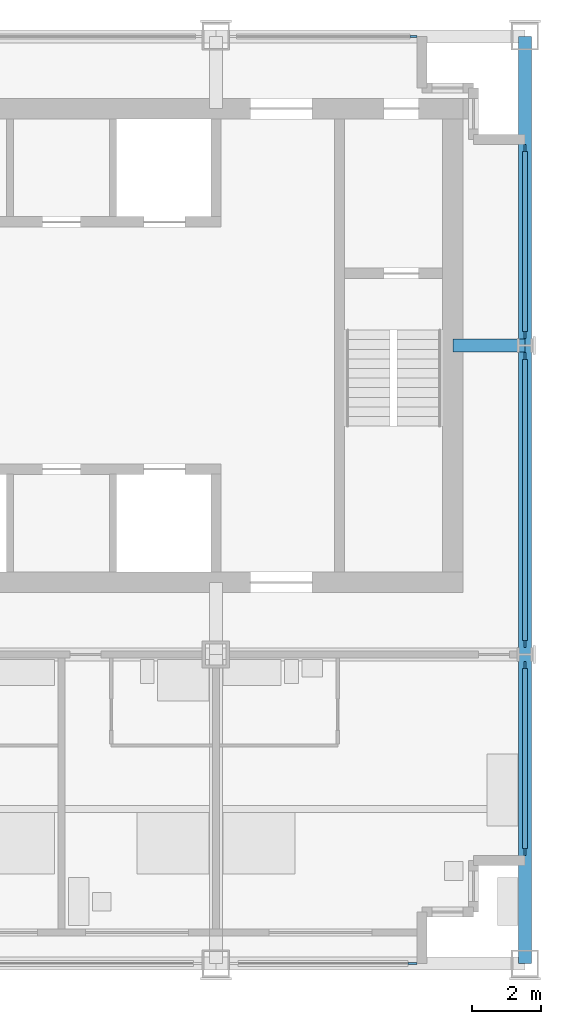
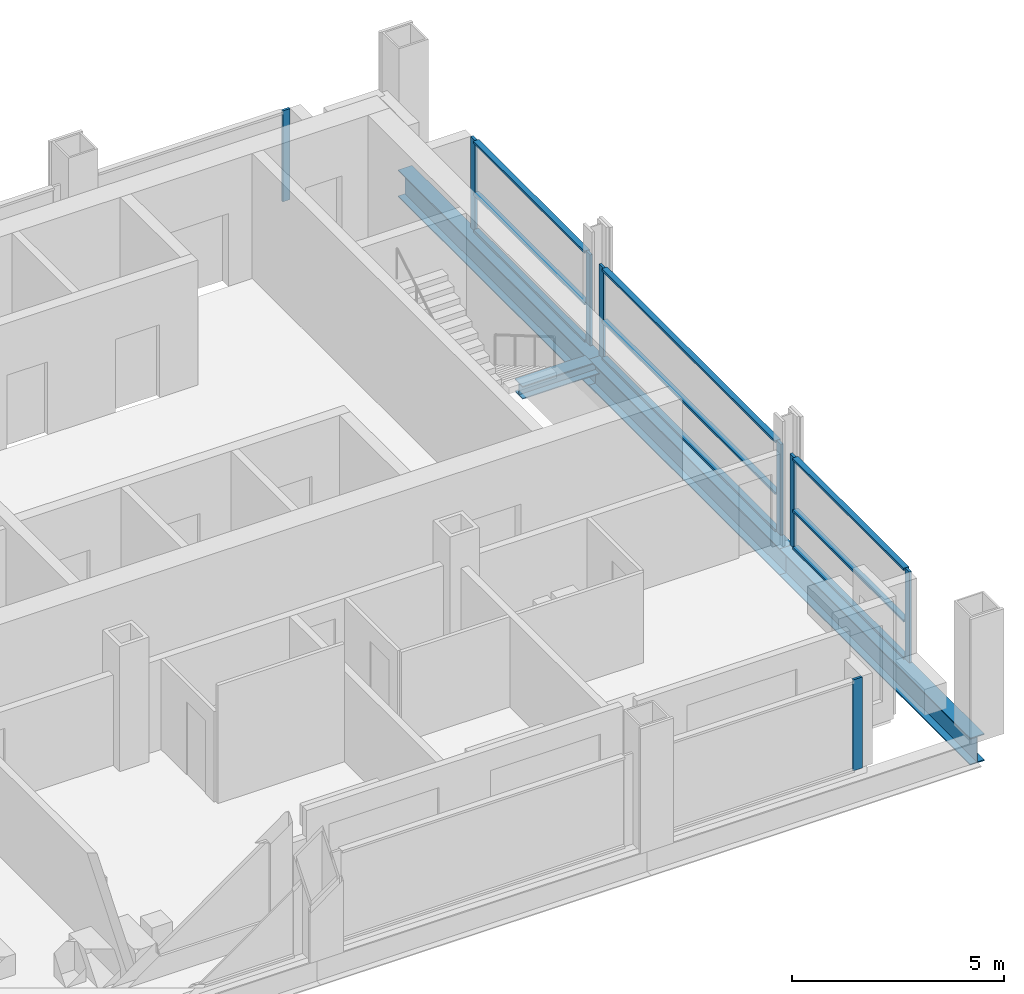
# One storey, part 4 of 12: 18 members, 3 beams, 5 elements without a shape of their own.
"""IFC4 building model written with IfcOpenShell, lengths in metres."""

from ifc_helpers import new_model, si_unit, direction, frame, origin, origin_2d, place, context, subcontext, project, spatial, rectangle, i_section, extrude, material, material_profile, profile_set, type_object, element, aggregate, save


model = new_model("IFC4")

# Units and contexts
model_context = context("Model", 3, precision=1e-05, world=origin(), true_north=direction((0.0, 1.0)))
body_context = subcontext(model_context, "Body", "Model", "MODEL_VIEW")
ifc_project = project(units=[si_unit("LENGTHUNIT", "METRE"), si_unit("AREAUNIT", "SQUARE_METRE"), si_unit("VOLUMEUNIT", "CUBIC_METRE"), si_unit("PLANEANGLEUNIT", "RADIAN"), si_unit("MASSUNIT", "GRAM", prefix="KILO")], contexts=[model_context])

# Site, building, storey
site_placement = place(None, origin())
site = spatial("IfcSite", under=ifc_project, at=site_placement, CompositionType="ELEMENT")
building_placement = place(site_placement, origin())
building = spatial("IfcBuilding", under=site, at=building_placement, Name="Loomwork Tower", CompositionType="ELEMENT")
storey_placement = place(building_placement, frame((0.0, 0.0, 230.199951171875)))
storey = spatial("IfcBuildingStorey", under=building, at=storey_placement, Name="L63", CompositionType="ELEMENT", Elevation=230.199951171875)

# Member
ifc_material_1 = material(Name="Steel ASTM A992", Category="steel")
ifc_material_profile_1 = material_profile(ifc_material_1, i_section(OverallWidth=0.373291015625, OverallDepth=0.373291015625, WebThickness=0.016357421875, FlangeThickness=0.026123046875, at=origin_2d()), Name="W14x132")
ifc_profile_set_1 = profile_set([ifc_material_profile_1], Name="Steel ASTM A992")
member_type_1 = type_object("IfcMemberType", Name="CORE LINK STRUT W14x132", PredefinedType="STRUT", material=ifc_profile_set_1)
member_1_placement = place(storey_placement, frame((36.0, 18.0, -0.38671875), z_axis=(-1.0, 0.0, 0.0), x_axis=(0.0, -1.0, 0.0)))
element("IfcMember", 1, at=member_1_placement, inside=storey, type_object=member_type_1, Name="Core link strut F/6-33.900,18.000 L63", PredefinedType="STRUT", context=body_context, shape_type="SweptSolid", body=[
    extrude(i_section(OverallWidth=0.373291015625, OverallDepth=0.373291015625, WebThickness=0.016357421875, FlangeThickness=0.026123046875, at=origin_2d()), origin(), (0.0, 0.0, 1.0), 2.10009765625),
])

# Curtain wall, member
ifc_material_2 = material(Name="Aluminium curtain wall frame", Category="aluminium")
curtain_wall_type_1 = type_object("IfcCurtainWallType", Name="Outer skin glazing suites", PredefinedType="NOTDEFINED", material=ifc_material_2)
curtain_wall_1_placement = place(storey_placement, origin())
curtain_wall_1 = element("IfcCurtainWall", 2, at=curtain_wall_1_placement, inside=storey, type_object=curtain_wall_type_1, Name="Outer skin glazing suites cw/S-27", PredefinedType="NOTDEFINED")
ifc_material_3 = material(Name="Aluminium curtain wall frame", Category="aluminium")
ifc_material_profile_2 = material_profile(ifc_material_3, rectangle(XDim=0.06494140625, YDim=0.25, at=origin_2d()), Name="AL 65x250")
ifc_profile_set_2 = profile_set([ifc_material_profile_2], Name="Aluminium curtain wall frame")
member_type_2 = type_object("IfcMemberType", Name="Outer skin glazing suites mullion", PredefinedType="MULLION", material=ifc_profile_set_2)
member_2_placement = place(storey_placement, frame((32.72509765625, 0.0, 0.0), z_axis=(0.0, 0.0, 1.0), x_axis=(0.0, 1.0, 0.0)))
member_2 = element("IfcMember", 3, at=member_2_placement, type_object=member_type_2, Name="CW2 mullion 2", PredefinedType="MULLION", context=body_context, shape_type="SweptSolid", body=[
    extrude(rectangle(XDim=0.06494140625, YDim=0.25, at=origin_2d()), origin(), (0.0, 0.0, 1.0), 2.620361328125),
])
aggregate(curtain_wall_1, [member_2])

# Beams
ifc_material_4 = material(Name="Steel ASTM A992", Category="steel")
ifc_material_profile_3 = material_profile(ifc_material_4, i_section(OverallWidth=0.381103515625, OverallDepth=0.77978515625, WebThickness=0.01806640625, FlangeThickness=0.0302734375, at=origin_2d()), Name="W30x191")
ifc_profile_set_3 = profile_set([ifc_material_profile_3], Name="Steel ASTM A992")
beam_type = type_object("IfcBeamType", Name="SPANDREL GIRDER W30x191", PredefinedType="SPANDREL", material=ifc_profile_set_3)
for number, where, z_axis, x_axis, name in (
    (4, (36.0, 0.0, -0.58984375), (0.0, 1.0, 0.0), (-1.0, 0.0, 0.0), "Spandrel Girder D/6-E/6 L63"),
    (5, (36.0, 9.0, -0.58984375), (0.0, 1.0, 0.0), (-1.0, 0.0, 0.0), "Spandrel Girder E/6-F/6 L63"),
    (6, (36.0, 18.0, -0.58984375), (0.0, 1.0, 0.0), (-1.0, 0.0, 0.0), "Spandrel Girder F/6-G/6 L63"),
):
    element("IfcBeam", number, at=place(storey_placement, frame(where, z_axis=z_axis, x_axis=x_axis)), inside=storey, type_object=beam_type, Name=name, PredefinedType="SPANDREL", context=body_context, shape_type="SweptSolid", body=[
        extrude(i_section(OverallWidth=0.381103515625, OverallDepth=0.77978515625, WebThickness=0.01806640625, FlangeThickness=0.0302734375, at=origin_2d()), origin(), (0.0, 0.0, 1.0), 9.0),
    ])

# Curtain wall, member
ifc_material_5 = material(Name="Aluminium curtain wall frame", Category="aluminium")
curtain_wall_type_2 = type_object("IfcCurtainWallType", Name="Single skin glazing corridor", PredefinedType="NOTDEFINED", material=ifc_material_5)
curtain_wall_2_placement = place(storey_placement, origin())
curtain_wall_2 = element("IfcCurtainWall", 7, at=curtain_wall_2_placement, inside=storey, type_object=curtain_wall_type_2, Name="Single skin glazing corridor cw/N-27", PredefinedType="NOTDEFINED")
ifc_material_6 = material(Name="Aluminium curtain wall frame", Category="aluminium")
ifc_material_profile_4 = material_profile(ifc_material_6, rectangle(XDim=0.06494140625, YDim=0.199951171875, at=origin_2d()), Name="AL 65x200")
ifc_profile_set_4 = profile_set([ifc_material_profile_4], Name="Aluminium curtain wall frame")
member_type_3 = type_object("IfcMemberType", Name="Single skin glazing corridor mullion", PredefinedType="MULLION", material=ifc_profile_set_4)
member_3_placement = place(storey_placement, frame((32.75, 27.0, 0.0), z_axis=(0.0, 0.0, 1.0), x_axis=(0.0, -1.0, 0.0)))
member_3 = element("IfcMember", 8, at=member_3_placement, type_object=member_type_3, Name="CW3 mullion 1", PredefinedType="MULLION", context=body_context, shape_type="SweptSolid", body=[
    extrude(rectangle(XDim=0.06494140625, YDim=0.199951171875, at=origin_2d()), origin(), (0.0, 0.0, 1.0), 2.620361328125),
])
aggregate(curtain_wall_2, [member_3])

# Curtain wall, members
curtain_wall_3_placement = place(storey_placement, origin())
curtain_wall_3 = element("IfcCurtainWall", 9, at=curtain_wall_3_placement, inside=storey, type_object=curtain_wall_type_2, Name="Single skin glazing corridor cw/E-0", PredefinedType="NOTDEFINED")
member_4_placement = place(storey_placement, frame((36.0, 3.25, 0.0), z_axis=(0.0, 0.0, 1.0), x_axis=(-1.0, 0.0, 0.0)))
member_4 = element("IfcMember", 10, at=member_4_placement, type_object=member_type_3, Name="CW3 mullion 1", PredefinedType="MULLION", context=body_context, shape_type="SweptSolid", body=[
    extrude(rectangle(XDim=0.06494140625, YDim=0.199951171875, at=origin_2d()), origin(), (0.0, 0.0, 1.0), 2.620361328125),
])
member_5_placement = place(storey_placement, frame((36.0, 8.689208984375, 0.0), z_axis=(0.0, 0.0, 1.0), x_axis=(-1.0, 0.0, 0.0)))
member_5 = element("IfcMember", 11, at=member_5_placement, type_object=member_type_3, Name="CW3 mullion 2", PredefinedType="MULLION", context=body_context, shape_type="SweptSolid", body=[
    extrude(rectangle(XDim=0.06494140625, YDim=0.199951171875, at=origin_2d()), origin(), (0.0, 0.0, 1.0), 2.620361328125),
])

curtain_wall_4_placement = place(storey_placement, origin())
curtain_wall_4 = element("IfcCurtainWall", 12, at=curtain_wall_4_placement, inside=storey, type_object=curtain_wall_type_2, Name="Single skin glazing corridor cw/E-9", PredefinedType="NOTDEFINED")
member_6_placement = place(storey_placement, frame((36.0, 9.310791015625, 0.0), z_axis=(0.0, 0.0, 1.0), x_axis=(-1.0, 0.0, 0.0)))
member_6 = element("IfcMember", 13, at=member_6_placement, type_object=member_type_3, Name="CW3 mullion 1", PredefinedType="MULLION", context=body_context, shape_type="SweptSolid", body=[
    extrude(rectangle(XDim=0.06494140625, YDim=0.199951171875, at=origin_2d()), origin(), (0.0, 0.0, 1.0), 2.620361328125),
])
member_7_placement = place(storey_placement, frame((36.0, 17.689208984375, 0.0), z_axis=(0.0, 0.0, 1.0), x_axis=(-1.0, 0.0, 0.0)))
member_7 = element("IfcMember", 14, at=member_7_placement, type_object=member_type_3, Name="CW3 mullion 2", PredefinedType="MULLION", context=body_context, shape_type="SweptSolid", body=[
    extrude(rectangle(XDim=0.06494140625, YDim=0.199951171875, at=origin_2d()), origin(), (0.0, 0.0, 1.0), 2.620361328125),
])

curtain_wall_5_placement = place(storey_placement, origin())
curtain_wall_5 = element("IfcCurtainWall", 15, at=curtain_wall_5_placement, inside=storey, type_object=curtain_wall_type_2, Name="Single skin glazing corridor cw/E-18", PredefinedType="NOTDEFINED")
member_8_placement = place(storey_placement, frame((36.0, 18.310791015625, 0.0), z_axis=(0.0, 0.0, 1.0), x_axis=(-1.0, 0.0, 0.0)))
member_8 = element("IfcMember", 16, at=member_8_placement, type_object=member_type_3, Name="CW3 mullion 1", PredefinedType="MULLION", context=body_context, shape_type="SweptSolid", body=[
    extrude(rectangle(XDim=0.06494140625, YDim=0.199951171875, at=origin_2d()), origin(), (0.0, 0.0, 1.0), 2.620361328125),
])
member_9_placement = place(storey_placement, frame((36.0, 23.75, 0.0), z_axis=(0.0, 0.0, 1.0), x_axis=(-1.0, 0.0, 0.0)))
member_9 = element("IfcMember", 17, at=member_9_placement, type_object=member_type_3, Name="CW3 mullion 2", PredefinedType="MULLION", context=body_context, shape_type="SweptSolid", body=[
    extrude(rectangle(XDim=0.06494140625, YDim=0.199951171875, at=origin_2d()), origin(), (0.0, 0.0, 1.0), 2.620361328125),
])

# Member
ifc_material_7 = material(Name="Aluminium curtain wall frame", Category="aluminium")
ifc_material_profile_5 = material_profile(ifc_material_7, rectangle(XDim=0.14990234375, YDim=0.06494140625, at=origin_2d()), Name="AL 65x150")
ifc_profile_set_5 = profile_set([ifc_material_profile_5], Name="Aluminium curtain wall frame")
member_type_4 = type_object("IfcMemberType", Name="Single skin glazing corridor transom", PredefinedType="USERDEFINED", material=ifc_profile_set_5)
member_10_placement = place(storey_placement, frame((36.0, 3.35009765625, 0.032470703125), z_axis=(0.0, 1.0, 0.0), x_axis=(-1.0, 0.0, 0.0)))
member_10 = element("IfcMember", 18, at=member_10_placement, type_object=member_type_4, Name="CW3 transom 1.1", ObjectType="TRANSOM", PredefinedType="USERDEFINED", context=body_context, shape_type="SweptSolid", body=[
    extrude(rectangle(XDim=0.14990234375, YDim=0.06494140625, at=origin_2d()), origin(), (0.0, 0.0, 1.0), 5.239013671875),
])

member_11_placement = place(storey_placement, frame((36.0, 3.35009765625, 1.10009765625), z_axis=(0.0, 1.0, 0.0), x_axis=(-1.0, 0.0, 0.0)))
member_11 = element("IfcMember", 19, at=member_11_placement, type_object=member_type_4, Name="CW3 transom 1.2", ObjectType="TRANSOM", PredefinedType="USERDEFINED", context=body_context, shape_type="SweptSolid", body=[
    extrude(rectangle(XDim=0.14990234375, YDim=0.06494140625, at=origin_2d()), origin(), (0.0, 0.0, 1.0), 5.239013671875),
])

member_12_placement = place(storey_placement, frame((36.0, 3.35009765625, 2.587646484375), z_axis=(0.0, 1.0, 0.0), x_axis=(-1.0, 0.0, 0.0)))
member_12 = element("IfcMember", 20, at=member_12_placement, type_object=member_type_4, Name="CW3 transom 1.3", ObjectType="TRANSOM", PredefinedType="USERDEFINED", context=body_context, shape_type="SweptSolid", body=[
    extrude(rectangle(XDim=0.14990234375, YDim=0.06494140625, at=origin_2d()), origin(), (0.0, 0.0, 1.0), 5.239013671875),
])

aggregate(curtain_wall_3, [member_4, member_5, member_10, member_11, member_12])

member_13_placement = place(storey_placement, frame((36.0, 9.410888671875, 0.032470703125), z_axis=(0.0, 1.0, 0.0), x_axis=(-1.0, 0.0, 0.0)))
member_13 = element("IfcMember", 21, at=member_13_placement, type_object=member_type_4, Name="CW3 transom 1.1", ObjectType="TRANSOM", PredefinedType="USERDEFINED", context=body_context, shape_type="SweptSolid", body=[
    extrude(rectangle(XDim=0.14990234375, YDim=0.06494140625, at=origin_2d()), origin(), (0.0, 0.0, 1.0), 8.17822265625),
])

member_14_placement = place(storey_placement, frame((36.0, 9.410888671875, 1.10009765625), z_axis=(0.0, 1.0, 0.0), x_axis=(-1.0, 0.0, 0.0)))
member_14 = element("IfcMember", 22, at=member_14_placement, type_object=member_type_4, Name="CW3 transom 1.2", ObjectType="TRANSOM", PredefinedType="USERDEFINED", context=body_context, shape_type="SweptSolid", body=[
    extrude(rectangle(XDim=0.14990234375, YDim=0.06494140625, at=origin_2d()), origin(), (0.0, 0.0, 1.0), 8.17822265625),
])

member_15_placement = place(storey_placement, frame((36.0, 9.410888671875, 2.587646484375), z_axis=(0.0, 1.0, 0.0), x_axis=(-1.0, 0.0, 0.0)))
member_15 = element("IfcMember", 23, at=member_15_placement, type_object=member_type_4, Name="CW3 transom 1.3", ObjectType="TRANSOM", PredefinedType="USERDEFINED", context=body_context, shape_type="SweptSolid", body=[
    extrude(rectangle(XDim=0.14990234375, YDim=0.06494140625, at=origin_2d()), origin(), (0.0, 0.0, 1.0), 8.17822265625),
])

aggregate(curtain_wall_4, [member_6, member_7, member_13, member_14, member_15])

member_16_placement = place(storey_placement, frame((36.0, 18.410888671875, 0.032470703125), z_axis=(0.0, 1.0, 0.0), x_axis=(-1.0, 0.0, 0.0)))
member_16 = element("IfcMember", 24, at=member_16_placement, type_object=member_type_4, Name="CW3 transom 1.1", ObjectType="TRANSOM", PredefinedType="USERDEFINED", context=body_context, shape_type="SweptSolid", body=[
    extrude(rectangle(XDim=0.14990234375, YDim=0.06494140625, at=origin_2d()), origin(), (0.0, 0.0, 1.0), 5.239013671875),
])

member_17_placement = place(storey_placement, frame((36.0, 18.410888671875, 1.10009765625), z_axis=(0.0, 1.0, 0.0), x_axis=(-1.0, 0.0, 0.0)))
member_17 = element("IfcMember", 25, at=member_17_placement, type_object=member_type_4, Name="CW3 transom 1.2", ObjectType="TRANSOM", PredefinedType="USERDEFINED", context=body_context, shape_type="SweptSolid", body=[
    extrude(rectangle(XDim=0.14990234375, YDim=0.06494140625, at=origin_2d()), origin(), (0.0, 0.0, 1.0), 5.239013671875),
])

member_18_placement = place(storey_placement, frame((36.0, 18.410888671875, 2.587646484375), z_axis=(0.0, 1.0, 0.0), x_axis=(-1.0, 0.0, 0.0)))
member_18 = element("IfcMember", 26, at=member_18_placement, type_object=member_type_4, Name="CW3 transom 1.3", ObjectType="TRANSOM", PredefinedType="USERDEFINED", context=body_context, shape_type="SweptSolid", body=[
    extrude(rectangle(XDim=0.14990234375, YDim=0.06494140625, at=origin_2d()), origin(), (0.0, 0.0, 1.0), 5.239013671875),
])

aggregate(curtain_wall_5, [member_8, member_9, member_16, member_17, member_18])

save(model, "model.ifc")
